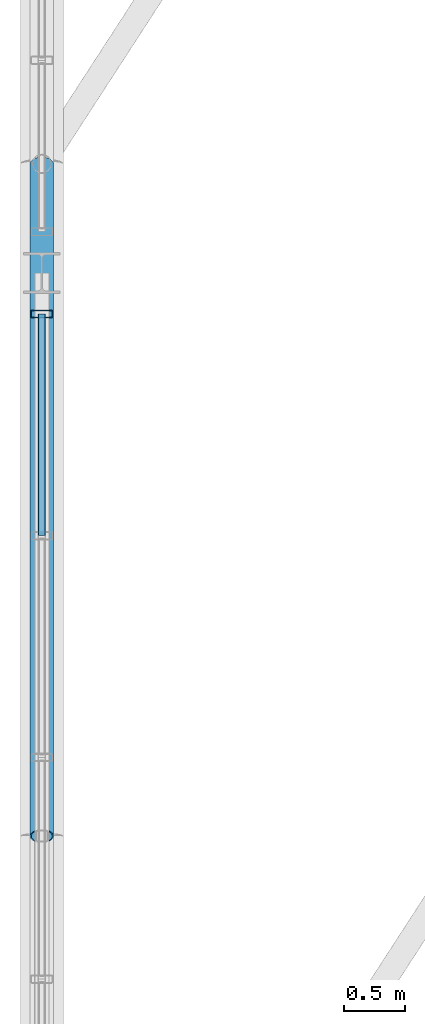
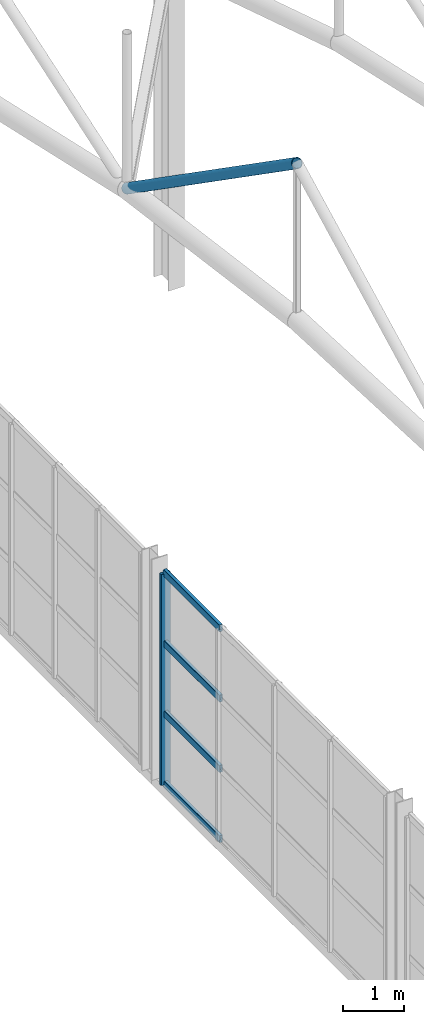
# One storey, part 46 of 153: 6 members, 1 element without a shape of its own.
"""IFC4 building model written with IfcOpenShell, lengths in metres."""

import ifcopenshell
import ifcopenshell.guid

model = None  # the IFC model being written
_history = None  # IfcOwnerHistory: only IFC2X3 demands one
_inside = {}  # id of a spatial element -> (the spatial element, [elements in it])
_under = {}  # id of a project, library or spatial element -> (it, [spatial elements below it])
_declared = {}  # id of a project -> (the project, [libraries it declares])
_typed = {}  # id of a type object -> (the type object, [elements of that type])
_made_of = {}  # id of a material, layer set ... -> (it, [elements and type objects made of it])


def new_model(schema):
    """Start an empty IFC model of exactly this schema.

    Asked for "IFC4X3", IfcOpenShell would pick the latest addendum, in which some entities
    have other attributes; the version numbers below select the first issue.
    IFC2X3 requires an IfcOwnerHistory on every rooted entity: one is made here for all.
    """
    global model, _history
    if schema == "IFC4X3":
        model = ifcopenshell.file(schema_version=(4, 3, 0, 0))
    else:
        model = ifcopenshell.file(schema=schema)
    _inside.clear()
    _under.clear()
    _declared.clear()
    _typed.clear()
    _made_of.clear()
    _history = None
    if model.schema == "IFC2X3":
        org = make("IfcOrganization", Name="unknown")
        user = make(
            "IfcPersonAndOrganization",
            ThePerson=make("IfcPerson", FamilyName="unknown"),
            TheOrganization=org,
        )
        app = make(
            "IfcApplication",
            ApplicationDeveloper=org,
            Version="unknown",
            ApplicationFullName="unknown",
            ApplicationIdentifier="unknown",
        )
        _history = make(
            "IfcOwnerHistory",
            OwningUser=user,
            OwningApplication=app,
            ChangeAction="ADDED",
            CreationDate=0,
        )
    return model


def make(cls, **values):
    """One entity of the class cls with the attributes given. An attribute that is None is left unset."""
    return model.create_entity(
        cls, **{name: value for name, value in values.items() if value is not None}
    )


def rooted(cls, **values):
    """An entity with a GlobalId (a new one), such as an element, a storey or a relation."""
    return make(cls, GlobalId=ifcopenshell.guid.new(), OwnerHistory=_history, **values)


def si_unit(unit_type, name, prefix=None):
    """IfcSIUnit, for example si_unit("LENGTHUNIT", "METRE", prefix="MILLI")."""
    return make("IfcSIUnit", UnitType=unit_type, Prefix=prefix, Name=name)


def derived_unit(unit_type, elements):
    """IfcDerivedUnit: a product of units, each with its exponent."""
    return make(
        "IfcDerivedUnit",
        Elements=[
            make("IfcDerivedUnitElement", Unit=unit, Exponent=power)
            for unit, power in elements
        ],
        UnitType=unit_type,
    )


def assignment(units):
    """IfcUnitAssignment: the units of a project."""
    return None if units is None else make("IfcUnitAssignment", Units=units)


def point(xyz):
    """IfcCartesianPoint."""
    return None if xyz is None else make("IfcCartesianPoint", Coordinates=xyz)


def direction(xyz):
    """IfcDirection."""
    return None if xyz is None else make("IfcDirection", DirectionRatios=xyz)


def frame(location, z_axis=None, x_axis=None):
    """IfcAxis2Placement3D, a coordinate frame: its origin and axes. An axis left out is left unset."""
    return make(
        "IfcAxis2Placement3D",
        Location=point(location),
        Axis=direction(z_axis),
        RefDirection=direction(x_axis),
    )


def frame_2d(location, x_axis=None):
    """IfcAxis2Placement2D, a coordinate frame in the plane: its origin and x axis."""
    return make(
        "IfcAxis2Placement2D", Location=point(location), RefDirection=direction(x_axis)
    )


def origin():
    """The frame at (0, 0, 0) with its axes left unset."""
    return frame((0.0, 0.0, 0.0))


def origin_2d():
    """The frame at (0, 0) in the plane with its x axis left unset."""
    return frame_2d((0.0, 0.0))


def place(relative_to, where):
    """IfcLocalPlacement: puts the frame where relative to a parent placement (None: the world)."""
    return make(
        "IfcLocalPlacement", PlacementRelTo=relative_to, RelativePlacement=where
    )


def context(
    kind, dimensions, precision=None, world=None, true_north=None, identifier=None
):
    """IfcGeometricRepresentationContext, for example the 3D "Model" context."""
    return make(
        "IfcGeometricRepresentationContext",
        ContextIdentifier=identifier,
        ContextType=kind,
        CoordinateSpaceDimension=dimensions,
        Precision=precision,
        WorldCoordinateSystem=world,
        TrueNorth=true_north,
    )


def subcontext(parent, identifier, kind, view, scale=None):
    """IfcGeometricRepresentationSubContext, for example "Body" below "Model"."""
    return make(
        "IfcGeometricRepresentationSubContext",
        ContextIdentifier=identifier,
        ContextType=kind,
        ParentContext=parent,
        TargetScale=scale,
        TargetView=view,
    )


def project(units=None, contexts=None):
    """IfcProject with its units and contexts."""
    return rooted(
        "IfcProject",
        Name="project",
        RepresentationContexts=contexts,
        UnitsInContext=assignment(units),
    )


def spatial(cls, under=None, at=None, **own):
    """A site, building, storey or space (cls), placed at a placement, below another one or the project."""
    s = rooted(cls, ObjectPlacement=at, **own)
    if under is not None:
        _under.setdefault(under.id(), (under, []))[1].append(s)
    return s


def profile(cls, at=None, kind="AREA", **sizes):
    """A parametric profile (cls). Its sizes go by their IFC names, for example OverallWidth=200.0."""
    return make(cls, ProfileType=kind, Position=at, **sizes)


def hollow_rectangle(**sizes):
    """IfcRectangleHollowProfileDef."""
    return profile("IfcRectangleHollowProfileDef", **sizes)


def hollow_circle(**sizes):
    """IfcCircleHollowProfileDef."""
    return profile("IfcCircleHollowProfileDef", **sizes)


def extrude(swept, where, along, depth):
    """IfcExtrudedAreaSolid: the profile swept, set in the frame where, extruded along a direction by depth."""
    return make(
        "IfcExtrudedAreaSolid",
        SweptArea=swept,
        Position=where,
        ExtrudedDirection=direction(along),
        Depth=depth,
    )


def shape(context_of_items, identifier, shape_type, items):
    """IfcShapeRepresentation: the items that make up one representation, for example the "Body"."""
    return make(
        "IfcShapeRepresentation",
        ContextOfItems=context_of_items,
        RepresentationIdentifier=identifier,
        RepresentationType=shape_type,
        Items=items,
    )


def material(Name=None, Category=None):
    """IfcMaterial."""
    return make("IfcMaterial", Name=Name, Category=Category)


def material_profile(
    of_material, cross_section, Name=None, Category=None, Priority=None
):
    """IfcMaterialProfile: a cross section and its material."""
    return make(
        "IfcMaterialProfile",
        Name=Name,
        Material=of_material,
        Profile=cross_section,
        Priority=Priority,
        Category=Category,
    )


def profile_set(profiles, Name=None, composite=None):
    """IfcMaterialProfileSet."""
    return make(
        "IfcMaterialProfileSet",
        Name=Name,
        MaterialProfiles=profiles,
        CompositeProfile=composite,
    )


def made_of(thing, what):
    """Note that an element or type object is made of a material, layer set ...; save() writes the relation."""
    if what is not None:
        _made_of.setdefault(what.id(), (what, []))[1].append(thing)
    return thing


def type_object(cls, material=None, **own):
    """A type object (cls), such as IfcWallType, which elements share."""
    return made_of(rooted(cls, **own), material)


def element(
    cls,
    number,
    at=None,
    inside=None,
    cuts=None,
    type_object=None,
    material=None,
    context=None,
    identifier="Body",
    shape_type=None,
    held_by="IfcProductDefinitionShape",
    body=None,
    shapes=None,
    **own,
):
    """One element of the class cls, such as IfcWall. Its Tag is "e" and its number.

    at: its placement. inside: the storey or other place that contains it. cuts: it is an
    opening in that element (IfcRelVoidsElement). A single representation is given by context,
    identifier, shape_type and body (its items); several are given by shapes. held_by: the class
    of the entity that holds the representations. save() writes the other relations.
    """
    e = rooted(cls, Tag="e%d" % number, ObjectPlacement=at, **own)
    if body is not None:
        shapes = [shape(context, identifier, shape_type, body)]
    if shapes is not None:
        e.Representation = make(held_by, Representations=shapes)
    if inside is not None:
        _inside.setdefault(inside.id(), (inside, []))[1].append(e)
    if cuts is not None:
        rooted(
            "IfcRelVoidsElement", RelatingBuildingElement=cuts, RelatedOpeningElement=e
        )
    if type_object is not None:
        _typed.setdefault(type_object.id(), (type_object, []))[1].append(e)
    return made_of(e, material)


def aggregate(whole, parts):
    """IfcRelAggregates: a whole, such as a stair, and the parts it consists of."""
    return rooted("IfcRelAggregates", RelatingObject=whole, RelatedObjects=parts)


def save(model, path):
    """Write the relations noted so far, then the file.

    IfcRelAggregates (storeys below a building ...), IfcRelContainedInSpatialStructure (elements
    in a storey), IfcRelDefinesByType, IfcRelAssociatesMaterial and IfcRelDeclares: one each for
    every whole, place, type object, material and project.
    """
    for whole, parts in _under.values():
        aggregate(whole, parts)
    for where, things in _inside.values():
        rooted(
            "IfcRelContainedInSpatialStructure",
            RelatedElements=things,
            RelatingStructure=where,
        )
    for kind, things in _typed.values():
        rooted("IfcRelDefinesByType", RelatedObjects=things, RelatingType=kind)
    for what, things in _made_of.values():
        rooted("IfcRelAssociatesMaterial", RelatedObjects=things, RelatingMaterial=what)
    for by, libraries in _declared.values():
        rooted("IfcRelDeclares", RelatingContext=by, RelatedDefinitions=libraries)
    model.write(path)


model = new_model("IFC4")

# Units and contexts
model_context = context("Model", 3, precision=1e-05, world=origin(), true_north=direction((0.0, 1.0)))
body_context = subcontext(model_context, "Body", "Model", "MODEL_VIEW")
ifc_project = project(units=[si_unit("LENGTHUNIT", "METRE"), si_unit("AREAUNIT", "SQUARE_METRE"), si_unit("VOLUMEUNIT", "CUBIC_METRE"), si_unit("PLANEANGLEUNIT", "RADIAN"), si_unit("MASSUNIT", "GRAM", prefix="KILO"), derived_unit("THERMALTRANSMITTANCEUNIT", [(si_unit("POWERUNIT", "WATT"), 1), (si_unit("LENGTHUNIT", "METRE"), -2), (si_unit("THERMODYNAMICTEMPERATUREUNIT", "KELVIN"), -1)])], contexts=[model_context])

# Site, building, storey
site_placement = place(None, origin())
site = spatial("IfcSite", under=ifc_project, at=site_placement, CompositionType="ELEMENT")
building_placement = place(site_placement, origin())
building = spatial("IfcBuilding", under=site, at=building_placement, Name="Keldorne Ridge Multi-Sports Centre", CompositionType="ELEMENT")
storey_placement = place(building_placement, frame((0.0, 0.0, 9.60009765625)))
storey = spatial("IfcBuildingStorey", under=building, at=storey_placement, Name="L02", CompositionType="ELEMENT", Elevation=9.60009765625)

# Curtain wall, member
ifc_material_1 = material(Name="Anodized aluminium", Category="aluminium")
curtain_wall_type = type_object("IfcCurtainWallType", Name="CW-CW-08", PredefinedType="NOTDEFINED", material=ifc_material_1)
curtain_wall_placement = place(storey_placement, origin())
curtain_wall = element("IfcCurtainWall", 1, at=curtain_wall_placement, inside=storey, type_object=curtain_wall_type, Name="Main Hall west high gable glazing 032", PredefinedType="NOTDEFINED")
ifc_material_profile_1 = material_profile(ifc_material_1, hollow_rectangle(XDim=0.06494140625, YDim=0.179931640625, WallThickness=0.00439453125, InnerFilletRadius=0.00439453125, OuterFilletRadius=0.009033203125, at=origin_2d()), Name="ALU MULLION 180x65x4.5")
ifc_profile_set_1 = profile_set([ifc_material_profile_1], Name="Anodized aluminium")
member_type_1 = type_object("IfcMemberType", Name="MEM-ML-01", PredefinedType="MULLION", material=ifc_profile_set_1)
member_1_placement = place(storey_placement, frame((6.0, 41.659912109375, 0.0), z_axis=(0.0, 0.0, 1.0), x_axis=(0.0, 1.0, 0.0)))
member_1 = element("IfcMember", 2, at=member_1_placement, type_object=member_type_1, Name="CW-032 vertical mullion 1", PredefinedType="MULLION", context=body_context, shape_type="SweptSolid", body=[
    extrude(hollow_rectangle(XDim=0.06494140625, YDim=0.179931640625, WallThickness=0.00439453125, InnerFilletRadius=0.00439453125, OuterFilletRadius=0.009033203125, at=origin_2d()), origin(), (0.0, 0.0, 1.0), 4.199951171875),
])

# Member
ifc_material_2 = material(Name="Steel S355", Category="steel")
ifc_material_profile_2 = material_profile(ifc_material_2, hollow_circle(Radius=0.096923828125, WallThickness=0.010009765625, at=origin_2d()), Name="CHS 193.7x10")
ifc_profile_set_2 = profile_set([ifc_material_profile_2], Name="Steel S355")
member_type_2 = type_object("IfcMemberType", Name="MEM-TD-01", PredefinedType="BRACE", material=ifc_profile_set_2)
member_2_placement = place(storey_placement, frame((6.0, 37.35009765625, 14.969970703125), z_axis=(0.0, 0.820254519762, -0.571998708748), x_axis=(-1.0, 0.0, 0.0)))
element("IfcMember", 3, at=member_2_placement, inside=storey, type_object=member_type_2, Name="Main Hall ROOF TRUSS AT-01 diagonal 6", PredefinedType="BRACE", context=body_context, shape_type="SweptSolid", body=[
    extrude(hollow_circle(Radius=0.096923828125, WallThickness=0.010009765625, at=origin_2d()), origin(), (0.0, 0.0, 1.0), 6.765869140625),
])

ifc_material_profile_3 = material_profile(ifc_material_1, hollow_rectangle(XDim=0.06494140625, YDim=0.139892578125, WallThickness=0.00439453125, InnerFilletRadius=0.00439453125, OuterFilletRadius=0.009033203125, at=origin_2d()), Name="ALU TRANSOM 140x65x4.5")
ifc_profile_set_3 = profile_set([ifc_material_profile_3], Name="Anodized aluminium")
member_type_3 = type_object("IfcMemberType", Name="MEM-TR-01", PredefinedType="USERDEFINED", material=ifc_profile_set_3)
member_3_placement = place(storey_placement, frame((6.0, 41.659912109375, 0.0), z_axis=(0.0, -1.0, 0.0), x_axis=(1.0, 0.0, 0.0)))
member_3 = element("IfcMember", 4, at=member_3_placement, type_object=member_type_3, Name="CW-032 transom 1.1", ObjectType="TRANSOM", PredefinedType="USERDEFINED", context=body_context, shape_type="SweptSolid", body=[
    extrude(hollow_rectangle(XDim=0.06494140625, YDim=0.139892578125, WallThickness=0.00439453125, InnerFilletRadius=0.00439453125, OuterFilletRadius=0.009033203125, at=origin_2d()), origin(), (0.0, 0.0, 1.0), 1.829833984375),
])

member_4_placement = place(storey_placement, frame((6.0, 41.659912109375, 1.39990234375), z_axis=(0.0, -1.0, 0.0), x_axis=(1.0, 0.0, 0.0)))
member_4 = element("IfcMember", 5, at=member_4_placement, type_object=member_type_3, Name="CW-032 transom 1.2", ObjectType="TRANSOM", PredefinedType="USERDEFINED", context=body_context, shape_type="SweptSolid", body=[
    extrude(hollow_rectangle(XDim=0.06494140625, YDim=0.139892578125, WallThickness=0.00439453125, InnerFilletRadius=0.00439453125, OuterFilletRadius=0.009033203125, at=origin_2d()), origin(), (0.0, 0.0, 1.0), 1.829833984375),
])

member_5_placement = place(storey_placement, frame((6.0, 41.659912109375, 2.7998046875), z_axis=(0.0, -1.0, 0.0), x_axis=(1.0, 0.0, 0.0)))
member_5 = element("IfcMember", 6, at=member_5_placement, type_object=member_type_3, Name="CW-032 transom 1.3", ObjectType="TRANSOM", PredefinedType="USERDEFINED", context=body_context, shape_type="SweptSolid", body=[
    extrude(hollow_rectangle(XDim=0.06494140625, YDim=0.139892578125, WallThickness=0.00439453125, InnerFilletRadius=0.00439453125, OuterFilletRadius=0.009033203125, at=origin_2d()), origin(), (0.0, 0.0, 1.0), 1.829833984375),
])

member_6_placement = place(storey_placement, frame((6.0, 41.659912109375, 4.199951171875), z_axis=(0.0, -1.0, 0.0), x_axis=(1.0, 0.0, 0.0)))
member_6 = element("IfcMember", 7, at=member_6_placement, type_object=member_type_3, Name="CW-032 transom 1.4", ObjectType="TRANSOM", PredefinedType="USERDEFINED", context=body_context, shape_type="SweptSolid", body=[
    extrude(hollow_rectangle(XDim=0.06494140625, YDim=0.139892578125, WallThickness=0.00439453125, InnerFilletRadius=0.00439453125, OuterFilletRadius=0.009033203125, at=origin_2d()), origin(), (0.0, 0.0, 1.0), 1.829833984375),
])

aggregate(curtain_wall, [member_1, member_3, member_4, member_5, member_6])

save(model, "model.ifc")
